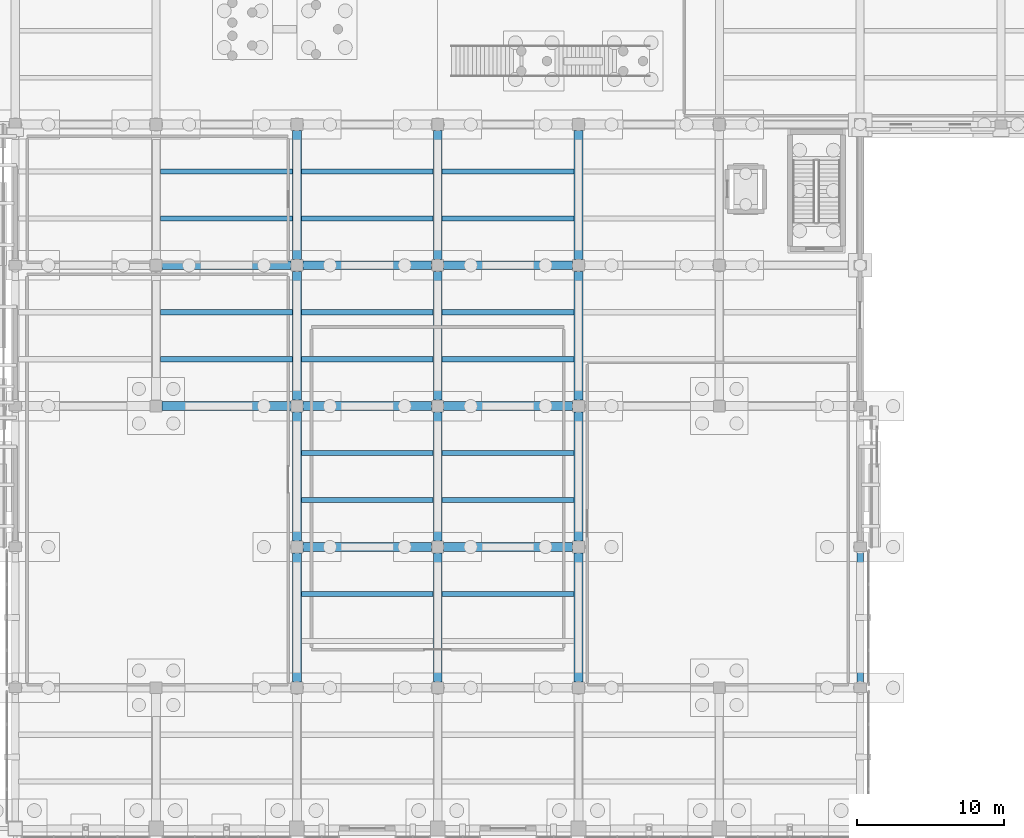
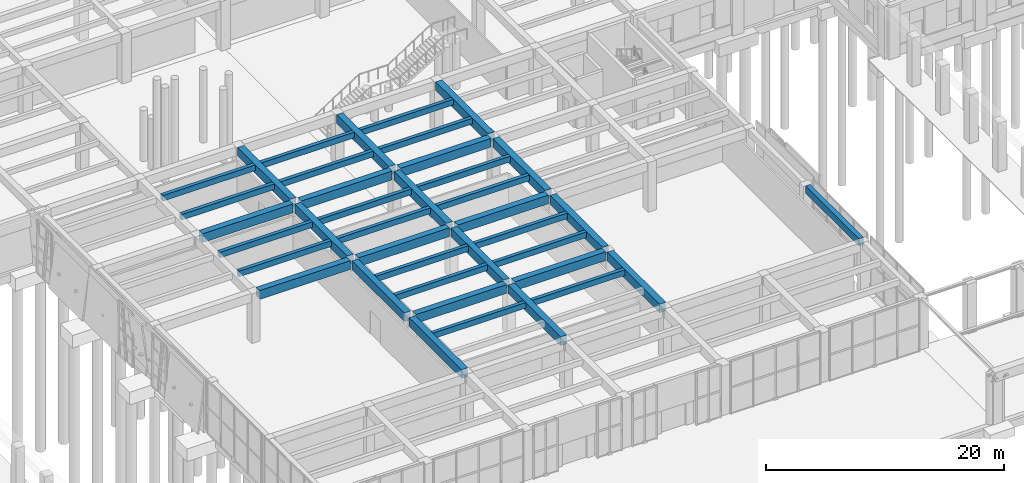
# One storey, part 19 of 51: 39 beams.
"""IFC4 building model written with IfcOpenShell, lengths in metres."""

import ifcopenshell
import ifcopenshell.guid

model = None  # the IFC model being written
_history = None  # IfcOwnerHistory: only IFC2X3 demands one
_inside = {}  # id of a spatial element -> (the spatial element, [elements in it])
_under = {}  # id of a project, library or spatial element -> (it, [spatial elements below it])
_declared = {}  # id of a project -> (the project, [libraries it declares])
_typed = {}  # id of a type object -> (the type object, [elements of that type])
_made_of = {}  # id of a material, layer set ... -> (it, [elements and type objects made of it])


def new_model(schema):
    """Start an empty IFC model of exactly this schema.

    Asked for "IFC4X3", IfcOpenShell would pick the latest addendum, in which some entities
    have other attributes; the version numbers below select the first issue.
    IFC2X3 requires an IfcOwnerHistory on every rooted entity: one is made here for all.
    """
    global model, _history
    if schema == "IFC4X3":
        model = ifcopenshell.file(schema_version=(4, 3, 0, 0))
    else:
        model = ifcopenshell.file(schema=schema)
    _inside.clear()
    _under.clear()
    _declared.clear()
    _typed.clear()
    _made_of.clear()
    _history = None
    if model.schema == "IFC2X3":
        org = make("IfcOrganization", Name="unknown")
        user = make(
            "IfcPersonAndOrganization",
            ThePerson=make("IfcPerson", FamilyName="unknown"),
            TheOrganization=org,
        )
        app = make(
            "IfcApplication",
            ApplicationDeveloper=org,
            Version="unknown",
            ApplicationFullName="unknown",
            ApplicationIdentifier="unknown",
        )
        _history = make(
            "IfcOwnerHistory",
            OwningUser=user,
            OwningApplication=app,
            ChangeAction="ADDED",
            CreationDate=0,
        )
    return model


def make(cls, **values):
    """One entity of the class cls with the attributes given. An attribute that is None is left unset."""
    return model.create_entity(
        cls, **{name: value for name, value in values.items() if value is not None}
    )


def rooted(cls, **values):
    """An entity with a GlobalId (a new one), such as an element, a storey or a relation."""
    return make(cls, GlobalId=ifcopenshell.guid.new(), OwnerHistory=_history, **values)


def si_unit(unit_type, name, prefix=None):
    """IfcSIUnit, for example si_unit("LENGTHUNIT", "METRE", prefix="MILLI")."""
    return make("IfcSIUnit", UnitType=unit_type, Prefix=prefix, Name=name)


def assignment(units):
    """IfcUnitAssignment: the units of a project."""
    return None if units is None else make("IfcUnitAssignment", Units=units)


def point(xyz):
    """IfcCartesianPoint."""
    return None if xyz is None else make("IfcCartesianPoint", Coordinates=xyz)


def direction(xyz):
    """IfcDirection."""
    return None if xyz is None else make("IfcDirection", DirectionRatios=xyz)


def frame(location, z_axis=None, x_axis=None):
    """IfcAxis2Placement3D, a coordinate frame: its origin and axes. An axis left out is left unset."""
    return make(
        "IfcAxis2Placement3D",
        Location=point(location),
        Axis=direction(z_axis),
        RefDirection=direction(x_axis),
    )


def frame_2d(location, x_axis=None):
    """IfcAxis2Placement2D, a coordinate frame in the plane: its origin and x axis."""
    return make(
        "IfcAxis2Placement2D", Location=point(location), RefDirection=direction(x_axis)
    )


def origin():
    """The frame at (0, 0, 0) with its axes left unset."""
    return frame((0.0, 0.0, 0.0))


def origin_2d():
    """The frame at (0, 0) in the plane with its x axis left unset."""
    return frame_2d((0.0, 0.0))


def place(relative_to, where):
    """IfcLocalPlacement: puts the frame where relative to a parent placement (None: the world)."""
    return make(
        "IfcLocalPlacement", PlacementRelTo=relative_to, RelativePlacement=where
    )


def context(
    kind, dimensions, precision=None, world=None, true_north=None, identifier=None
):
    """IfcGeometricRepresentationContext, for example the 3D "Model" context."""
    return make(
        "IfcGeometricRepresentationContext",
        ContextIdentifier=identifier,
        ContextType=kind,
        CoordinateSpaceDimension=dimensions,
        Precision=precision,
        WorldCoordinateSystem=world,
        TrueNorth=true_north,
    )


def subcontext(parent, identifier, kind, view, scale=None):
    """IfcGeometricRepresentationSubContext, for example "Body" below "Model"."""
    return make(
        "IfcGeometricRepresentationSubContext",
        ContextIdentifier=identifier,
        ContextType=kind,
        ParentContext=parent,
        TargetScale=scale,
        TargetView=view,
    )


def project(units=None, contexts=None):
    """IfcProject with its units and contexts."""
    return rooted(
        "IfcProject",
        Name="project",
        RepresentationContexts=contexts,
        UnitsInContext=assignment(units),
    )


def spatial(cls, under=None, at=None, **own):
    """A site, building, storey or space (cls), placed at a placement, below another one or the project."""
    s = rooted(cls, ObjectPlacement=at, **own)
    if under is not None:
        _under.setdefault(under.id(), (under, []))[1].append(s)
    return s


def profile(cls, at=None, kind="AREA", **sizes):
    """A parametric profile (cls). Its sizes go by their IFC names, for example OverallWidth=200.0."""
    return make(cls, ProfileType=kind, Position=at, **sizes)


def rectangle(**sizes):
    """IfcRectangleProfileDef."""
    return profile("IfcRectangleProfileDef", **sizes)


def extrude(swept, where, along, depth):
    """IfcExtrudedAreaSolid: the profile swept, set in the frame where, extruded along a direction by depth."""
    return make(
        "IfcExtrudedAreaSolid",
        SweptArea=swept,
        Position=where,
        ExtrudedDirection=direction(along),
        Depth=depth,
    )


def shape(context_of_items, identifier, shape_type, items):
    """IfcShapeRepresentation: the items that make up one representation, for example the "Body"."""
    return make(
        "IfcShapeRepresentation",
        ContextOfItems=context_of_items,
        RepresentationIdentifier=identifier,
        RepresentationType=shape_type,
        Items=items,
    )


def material(Name=None, Category=None):
    """IfcMaterial."""
    return make("IfcMaterial", Name=Name, Category=Category)


def material_profile(
    of_material, cross_section, Name=None, Category=None, Priority=None
):
    """IfcMaterialProfile: a cross section and its material."""
    return make(
        "IfcMaterialProfile",
        Name=Name,
        Material=of_material,
        Profile=cross_section,
        Priority=Priority,
        Category=Category,
    )


def profile_set(profiles, Name=None, composite=None):
    """IfcMaterialProfileSet."""
    return make(
        "IfcMaterialProfileSet",
        Name=Name,
        MaterialProfiles=profiles,
        CompositeProfile=composite,
    )


def made_of(thing, what):
    """Note that an element or type object is made of a material, layer set ...; save() writes the relation."""
    if what is not None:
        _made_of.setdefault(what.id(), (what, []))[1].append(thing)
    return thing


def type_object(cls, material=None, **own):
    """A type object (cls), such as IfcWallType, which elements share."""
    return made_of(rooted(cls, **own), material)


def element(
    cls,
    number,
    at=None,
    inside=None,
    cuts=None,
    type_object=None,
    material=None,
    context=None,
    identifier="Body",
    shape_type=None,
    held_by="IfcProductDefinitionShape",
    body=None,
    shapes=None,
    **own,
):
    """One element of the class cls, such as IfcWall. Its Tag is "e" and its number.

    at: its placement. inside: the storey or other place that contains it. cuts: it is an
    opening in that element (IfcRelVoidsElement). A single representation is given by context,
    identifier, shape_type and body (its items); several are given by shapes. held_by: the class
    of the entity that holds the representations. save() writes the other relations.
    """
    e = rooted(cls, Tag="e%d" % number, ObjectPlacement=at, **own)
    if body is not None:
        shapes = [shape(context, identifier, shape_type, body)]
    if shapes is not None:
        e.Representation = make(held_by, Representations=shapes)
    if inside is not None:
        _inside.setdefault(inside.id(), (inside, []))[1].append(e)
    if cuts is not None:
        rooted(
            "IfcRelVoidsElement", RelatingBuildingElement=cuts, RelatedOpeningElement=e
        )
    if type_object is not None:
        _typed.setdefault(type_object.id(), (type_object, []))[1].append(e)
    return made_of(e, material)


def aggregate(whole, parts):
    """IfcRelAggregates: a whole, such as a stair, and the parts it consists of."""
    return rooted("IfcRelAggregates", RelatingObject=whole, RelatedObjects=parts)


def save(model, path):
    """Write the relations noted so far, then the file.

    IfcRelAggregates (storeys below a building ...), IfcRelContainedInSpatialStructure (elements
    in a storey), IfcRelDefinesByType, IfcRelAssociatesMaterial and IfcRelDeclares: one each for
    every whole, place, type object, material and project.
    """
    for whole, parts in _under.values():
        aggregate(whole, parts)
    for where, things in _inside.values():
        rooted(
            "IfcRelContainedInSpatialStructure",
            RelatedElements=things,
            RelatingStructure=where,
        )
    for kind, things in _typed.values():
        rooted("IfcRelDefinesByType", RelatedObjects=things, RelatingType=kind)
    for what, things in _made_of.values():
        rooted("IfcRelAssociatesMaterial", RelatedObjects=things, RelatingMaterial=what)
    for by, libraries in _declared.values():
        rooted("IfcRelDeclares", RelatingContext=by, RelatedDefinitions=libraries)
    model.write(path)


model = new_model("IFC4")

# Units and contexts
model_context = context("Model", 3, precision=1e-05, world=origin(), true_north=direction((0.0, 1.0)))
body_context = subcontext(model_context, "Body", "Model", "MODEL_VIEW")
ifc_project = project(units=[si_unit("LENGTHUNIT", "METRE"), si_unit("AREAUNIT", "SQUARE_METRE"), si_unit("VOLUMEUNIT", "CUBIC_METRE"), si_unit("PLANEANGLEUNIT", "RADIAN"), si_unit("MASSUNIT", "GRAM", prefix="KILO")], contexts=[model_context])

# Site, building, storey
site_placement = place(None, origin())
site = spatial("IfcSite", under=ifc_project, at=site_placement, CompositionType="ELEMENT")
building_placement = place(site_placement, origin())
building = spatial("IfcBuilding", under=site, at=building_placement, Name="Bempovik Park Faculty of Sciences", CompositionType="ELEMENT")
storey_placement = place(building_placement, origin())
storey = spatial("IfcBuildingStorey", under=building, at=storey_placement, Name="L00", CompositionType="ELEMENT", Elevation=0.0)

# Beams
ifc_material_1 = material(Name="Concrete C35/45", Category="concrete")
ifc_material_profile_1 = material_profile(ifc_material_1, rectangle(XDim=0.35009765625, YDim=0.580078125, at=origin_2d()), Name="RC 350x580")
ifc_profile_set_1 = profile_set([ifc_material_profile_1], Name="Concrete C35/45")
beam_type_1 = type_object("IfcBeamType", Name="B-107 RC 350x580", PredefinedType="JOIST", material=ifc_profile_set_1)
for number, where, z_axis, x_axis, name in (
    (1, (69.906005859375, 51.800048828125, 4.7900390625), (1.0, 0.0, 0.0), (0.0, 1.0, 0.0), "L00 Secondary Joist (69.6-79.2, y=51.80)"),
    (2, (69.906005859375, 55.0, 4.7900390625), (1.0, 0.0, 0.0), (0.0, 1.0, 0.0), "L00 Secondary Joist (69.6-79.2, y=55.00)"),
    (3, (69.906005859375, 61.39990234375, 4.7900390625), (1.0, 0.0, 0.0), (0.0, 1.0, 0.0), "L00 Secondary Joist (69.6-79.2, y=61.40)"),
    (4, (69.906005859375, 64.60009765625, 4.7900390625), (1.0, 0.0, 0.0), (0.0, 1.0, 0.0), "L00 Secondary Joist (69.6-79.2, y=64.60)"),
):
    element("IfcBeam", number, at=place(storey_placement, frame(where, z_axis=z_axis, x_axis=x_axis)), inside=storey, type_object=beam_type_1, Name=name, PredefinedType="JOIST", context=body_context, shape_type="SweptSolid", body=[
        extrude(rectangle(XDim=0.35009765625, YDim=0.580078125, at=origin_2d()), origin(), (0.0, 0.0, 1.0), 8.988037109375),
    ])
for number, where, z_axis, x_axis, name in (
    (5, (79.506103515625, 35.800048828125, 4.7900390625), (1.0, 0.0, 0.0), (0.0, 1.0, 0.0), "L00 Secondary Joist (79.2-88.8, y=35.80)"),
    (6, (79.506103515625, 42.199951171875, 4.7900390625), (1.0, 0.0, 0.0), (0.0, 1.0, 0.0), "L00 Secondary Joist (79.2-88.8, y=42.20)"),
    (7, (79.506103515625, 45.39990234375, 4.7900390625), (1.0, 0.0, 0.0), (0.0, 1.0, 0.0), "L00 Secondary Joist (79.2-88.8, y=45.40)"),
    (8, (79.506103515625, 51.800048828125, 4.7900390625), (1.0, 0.0, 0.0), (0.0, 1.0, 0.0), "L00 Secondary Joist (79.2-88.8, y=51.80)"),
    (9, (79.506103515625, 55.0, 4.7900390625), (1.0, 0.0, 0.0), (0.0, 1.0, 0.0), "L00 Secondary Joist (79.2-88.8, y=55.00)"),
    (10, (79.506103515625, 61.39990234375, 4.7900390625), (1.0, 0.0, 0.0), (0.0, 1.0, 0.0), "L00 Secondary Joist (79.2-88.8, y=61.40)"),
    (11, (79.506103515625, 64.60009765625, 4.7900390625), (1.0, 0.0, 0.0), (0.0, 1.0, 0.0), "L00 Secondary Joist (79.2-88.8, y=64.60)"),
):
    element("IfcBeam", number, at=place(storey_placement, frame(where, z_axis=z_axis, x_axis=x_axis)), inside=storey, type_object=beam_type_1, Name=name, PredefinedType="JOIST", context=body_context, shape_type="SweptSolid", body=[
        extrude(rectangle(XDim=0.35009765625, YDim=0.580078125, at=origin_2d()), origin(), (0.0, 0.0, 1.0), 8.98779296875),
    ])
for number, where, z_axis, x_axis, name in (
    (12, (89.10595703125, 35.800048828125, 4.7900390625), (1.0, 0.0, 0.0), (0.0, 1.0, 0.0), "L00 Secondary Joist (88.8-98.4, y=35.80)"),
    (13, (89.10595703125, 42.199951171875, 4.7900390625), (1.0, 0.0, 0.0), (0.0, 1.0, 0.0), "L00 Secondary Joist (88.8-98.4, y=42.20)"),
    (14, (89.10595703125, 45.39990234375, 4.7900390625), (1.0, 0.0, 0.0), (0.0, 1.0, 0.0), "L00 Secondary Joist (88.8-98.4, y=45.40)"),
    (15, (89.10595703125, 51.800048828125, 4.7900390625), (1.0, 0.0, 0.0), (0.0, 1.0, 0.0), "L00 Secondary Joist (88.8-98.4, y=51.80)"),
    (16, (89.10595703125, 55.0, 4.7900390625), (1.0, 0.0, 0.0), (0.0, 1.0, 0.0), "L00 Secondary Joist (88.8-98.4, y=55.00)"),
    (17, (89.10595703125, 61.39990234375, 4.7900390625), (1.0, 0.0, 0.0), (0.0, 1.0, 0.0), "L00 Secondary Joist (88.8-98.4, y=61.40)"),
    (18, (89.10595703125, 64.60009765625, 4.7900390625), (1.0, 0.0, 0.0), (0.0, 1.0, 0.0), "L00 Secondary Joist (88.8-98.4, y=64.60)"),
):
    element("IfcBeam", number, at=place(storey_placement, frame(where, z_axis=z_axis, x_axis=x_axis)), inside=storey, type_object=beam_type_1, Name=name, PredefinedType="JOIST", context=body_context, shape_type="SweptSolid", body=[
        extrude(rectangle(XDim=0.35009765625, YDim=0.580078125, at=origin_2d()), origin(), (0.0, 0.0, 1.0), 8.988037109375),
    ])
ifc_material_2 = material(Name="Concrete C40/50", Category="concrete")
ifc_material_profile_2 = material_profile(ifc_material_2, rectangle(XDim=0.60009765625, YDim=0.89990234375, at=origin_2d()), Name="RC 600x900")
ifc_profile_set_2 = profile_set([ifc_material_profile_2], Name="Concrete C40/50")
beam_type_2 = type_object("IfcBeamType", Name="B-115 RC 600x900", PredefinedType="BEAM", material=ifc_profile_set_2)
beam_1_placement = place(storey_placement, frame((79.60595703125, 39.0, 4.6298828125), z_axis=(1.0, 0.0, 0.0), x_axis=(0.0, 1.0, 0.0)))
element("IfcBeam", 19, at=beam_1_placement, inside=storey, type_object=beam_type_2, Name="L00 Beam X (79.2-88.8, y=39.0)", PredefinedType="BEAM", context=body_context, shape_type="SweptSolid", body=[
    extrude(rectangle(XDim=0.60009765625, YDim=0.89990234375, at=origin_2d()), origin(), (0.0, 0.0, 1.0), 8.7880859375),
])
for number, where, z_axis, x_axis, name in (
    (20, (89.2060546875, 39.0, 4.6298828125), (1.0, 0.0, 0.0), (0.0, 1.0, 0.0), "L00 Beam X (88.8-98.4, y=39.0)"),
    (21, (70.006103515625, 48.60009765625, 4.6298828125), (1.0, 0.0, 0.0), (0.0, 1.0, 0.0), "L00 Beam X (69.6-79.2, y=48.6)"),
):
    element("IfcBeam", number, at=place(storey_placement, frame(where, z_axis=z_axis, x_axis=x_axis)), inside=storey, type_object=beam_type_2, Name=name, PredefinedType="BEAM", context=body_context, shape_type="SweptSolid", body=[
        extrude(rectangle(XDim=0.60009765625, YDim=0.89990234375, at=origin_2d()), origin(), (0.0, 0.0, 1.0), 8.787841796875),
    ])
beam_2_placement = place(storey_placement, frame((79.60595703125, 48.60009765625, 4.6298828125), z_axis=(1.0, 0.0, 0.0), x_axis=(0.0, 1.0, 0.0)))
element("IfcBeam", 22, at=beam_2_placement, inside=storey, type_object=beam_type_2, Name="L00 Beam X (79.2-88.8, y=48.6)", PredefinedType="BEAM", context=body_context, shape_type="SweptSolid", body=[
    extrude(rectangle(XDim=0.60009765625, YDim=0.89990234375, at=origin_2d()), origin(), (0.0, 0.0, 1.0), 8.7880859375),
])
for number, where, z_axis, x_axis, name in (
    (23, (89.2060546875, 48.60009765625, 4.6298828125), (1.0, 0.0, 0.0), (0.0, 1.0, 0.0), "L00 Beam X (88.8-98.4, y=48.6)"),
    (24, (70.006103515625, 58.199951171875, 4.6298828125), (1.0, 0.0, 0.0), (0.0, 1.0, 0.0), "L00 Beam X (69.6-79.2, y=58.2)"),
):
    element("IfcBeam", number, at=place(storey_placement, frame(where, z_axis=z_axis, x_axis=x_axis)), inside=storey, type_object=beam_type_2, Name=name, PredefinedType="BEAM", context=body_context, shape_type="SweptSolid", body=[
        extrude(rectangle(XDim=0.60009765625, YDim=0.89990234375, at=origin_2d()), origin(), (0.0, 0.0, 1.0), 8.787841796875),
    ])
beam_3_placement = place(storey_placement, frame((79.60595703125, 58.199951171875, 4.6298828125), z_axis=(1.0, 0.0, 0.0), x_axis=(0.0, 1.0, 0.0)))
element("IfcBeam", 25, at=beam_3_placement, inside=storey, type_object=beam_type_2, Name="L00 Beam X (79.2-88.8, y=58.2)", PredefinedType="BEAM", context=body_context, shape_type="SweptSolid", body=[
    extrude(rectangle(XDim=0.60009765625, YDim=0.89990234375, at=origin_2d()), origin(), (0.0, 0.0, 1.0), 8.7880859375),
])
beam_4_placement = place(storey_placement, frame((89.2060546875, 58.199951171875, 4.6298828125), z_axis=(1.0, 0.0, 0.0), x_axis=(0.0, 1.0, 0.0)))
element("IfcBeam", 26, at=beam_4_placement, inside=storey, type_object=beam_type_2, Name="L00 Beam X (88.8-98.4, y=58.2)", PredefinedType="BEAM", context=body_context, shape_type="SweptSolid", body=[
    extrude(rectangle(XDim=0.60009765625, YDim=0.89990234375, at=origin_2d()), origin(), (0.0, 0.0, 1.0), 8.787841796875),
])
for number, where, z_axis, x_axis, name in (
    (27, (79.199951171875, 29.805908203125, 4.6298828125), (0.0, 1.0, 0.0), (-1.0, 0.0, 0.0), "L00 Beam Y (x=79.2, 29.4-39.0)"),
    (28, (79.199951171875, 39.406005859375, 4.6298828125), (0.0, 1.0, 0.0), (-1.0, 0.0, 0.0), "L00 Beam Y (x=79.2, 39.0-48.6)"),
):
    element("IfcBeam", number, at=place(storey_placement, frame(where, z_axis=z_axis, x_axis=x_axis)), inside=storey, type_object=beam_type_2, Name=name, PredefinedType="BEAM", context=body_context, shape_type="SweptSolid", body=[
        extrude(rectangle(XDim=0.60009765625, YDim=0.89990234375, at=origin_2d()), origin(), (0.0, 0.0, 1.0), 8.7880859375),
    ])
beam_5_placement = place(storey_placement, frame((79.199951171875, 49.006103515625, 4.6298828125), z_axis=(0.0, 1.0, 0.0), x_axis=(-1.0, 0.0, 0.0)))
element("IfcBeam", 29, at=beam_5_placement, inside=storey, type_object=beam_type_2, Name="L00 Beam Y (x=79.2, 48.6-58.2)", PredefinedType="BEAM", context=body_context, shape_type="SweptSolid", body=[
    extrude(rectangle(XDim=0.60009765625, YDim=0.89990234375, at=origin_2d()), origin(), (0.0, 0.0, 1.0), 8.787841796875),
])
for number, where, z_axis, x_axis, name in (
    (30, (79.199951171875, 58.60595703125, 4.6298828125), (0.0, 1.0, 0.0), (-1.0, 0.0, 0.0), "L00 Beam Y (x=79.2, 58.2-67.8)"),
    (31, (88.800048828125, 29.805908203125, 4.6298828125), (0.0, 1.0, 0.0), (-1.0, 0.0, 0.0), "L00 Beam Y (x=88.8, 29.4-39.0)"),
    (32, (88.800048828125, 39.406005859375, 4.6298828125), (0.0, 1.0, 0.0), (-1.0, 0.0, 0.0), "L00 Beam Y (x=88.8, 39.0-48.6)"),
):
    element("IfcBeam", number, at=place(storey_placement, frame(where, z_axis=z_axis, x_axis=x_axis)), inside=storey, type_object=beam_type_2, Name=name, PredefinedType="BEAM", context=body_context, shape_type="SweptSolid", body=[
        extrude(rectangle(XDim=0.60009765625, YDim=0.89990234375, at=origin_2d()), origin(), (0.0, 0.0, 1.0), 8.7880859375),
    ])
beam_6_placement = place(storey_placement, frame((88.800048828125, 49.006103515625, 4.6298828125), z_axis=(0.0, 1.0, 0.0), x_axis=(-1.0, 0.0, 0.0)))
element("IfcBeam", 33, at=beam_6_placement, inside=storey, type_object=beam_type_2, Name="L00 Beam Y (x=88.8, 48.6-58.2)", PredefinedType="BEAM", context=body_context, shape_type="SweptSolid", body=[
    extrude(rectangle(XDim=0.60009765625, YDim=0.89990234375, at=origin_2d()), origin(), (0.0, 0.0, 1.0), 8.787841796875),
])
for number, where, z_axis, x_axis, name in (
    (34, (88.800048828125, 58.60595703125, 4.6298828125), (0.0, 1.0, 0.0), (-1.0, 0.0, 0.0), "L00 Beam Y (x=88.8, 58.2-67.8)"),
    (35, (98.39990234375, 29.805908203125, 4.6298828125), (0.0, 1.0, 0.0), (-1.0, 0.0, 0.0), "L00 Beam Y (x=98.4, 29.4-39.0)"),
    (36, (98.39990234375, 39.406005859375, 4.6298828125), (0.0, 1.0, 0.0), (-1.0, 0.0, 0.0), "L00 Beam Y (x=98.4, 39.0-48.6)"),
):
    element("IfcBeam", number, at=place(storey_placement, frame(where, z_axis=z_axis, x_axis=x_axis)), inside=storey, type_object=beam_type_2, Name=name, PredefinedType="BEAM", context=body_context, shape_type="SweptSolid", body=[
        extrude(rectangle(XDim=0.60009765625, YDim=0.89990234375, at=origin_2d()), origin(), (0.0, 0.0, 1.0), 8.7880859375),
    ])
beam_7_placement = place(storey_placement, frame((98.39990234375, 49.006103515625, 4.6298828125), z_axis=(0.0, 1.0, 0.0), x_axis=(-1.0, 0.0, 0.0)))
element("IfcBeam", 37, at=beam_7_placement, inside=storey, type_object=beam_type_2, Name="L00 Beam Y (x=98.4, 48.6-58.2)", PredefinedType="BEAM", context=body_context, shape_type="SweptSolid", body=[
    extrude(rectangle(XDim=0.60009765625, YDim=0.89990234375, at=origin_2d()), origin(), (0.0, 0.0, 1.0), 8.787841796875),
])
beam_8_placement = place(storey_placement, frame((98.39990234375, 58.60595703125, 4.6298828125), z_axis=(0.0, 1.0, 0.0), x_axis=(-1.0, 0.0, 0.0)))
element("IfcBeam", 38, at=beam_8_placement, inside=storey, type_object=beam_type_2, Name="L00 Beam Y (x=98.4, 58.2-67.8)", PredefinedType="BEAM", context=body_context, shape_type="SweptSolid", body=[
    extrude(rectangle(XDim=0.60009765625, YDim=0.89990234375, at=origin_2d()), origin(), (0.0, 0.0, 1.0), 8.7880859375),
])
ifc_material_profile_3 = material_profile(ifc_material_2, rectangle(XDim=0.449951171875, YDim=0.75, at=origin_2d()), Name="RC 450x750")
ifc_profile_set_3 = profile_set([ifc_material_profile_3], Name="Concrete C40/50")
beam_type_3 = type_object("IfcBeamType", Name="B-130 RC 450x750", PredefinedType="SPANDREL", material=ifc_profile_set_3)
beam_9_placement = place(storey_placement, frame((117.60009765625, 29.73095703125, 4.705078125), z_axis=(0.0, 1.0, 0.0), x_axis=(-1.0, 0.0, 0.0)))
element("IfcBeam", 39, at=beam_9_placement, inside=storey, type_object=beam_type_3, Name="L00 Beam Y (x=117.6, 29.4-39.0)", PredefinedType="SPANDREL", context=body_context, shape_type="SweptSolid", body=[
    extrude(rectangle(XDim=0.449951171875, YDim=0.75, at=origin_2d()), origin(), (0.0, 0.0, 1.0), 8.93798828125),
])

save(model, "model.ifc")
